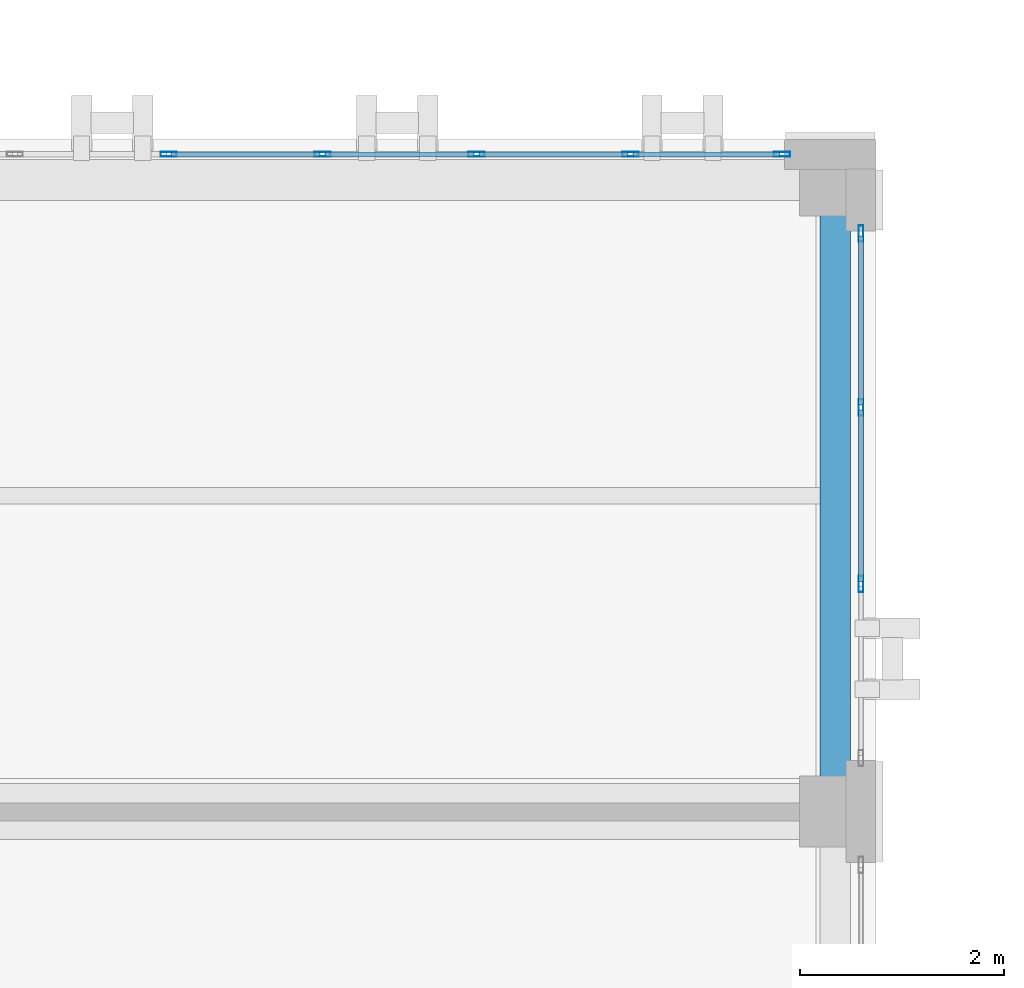
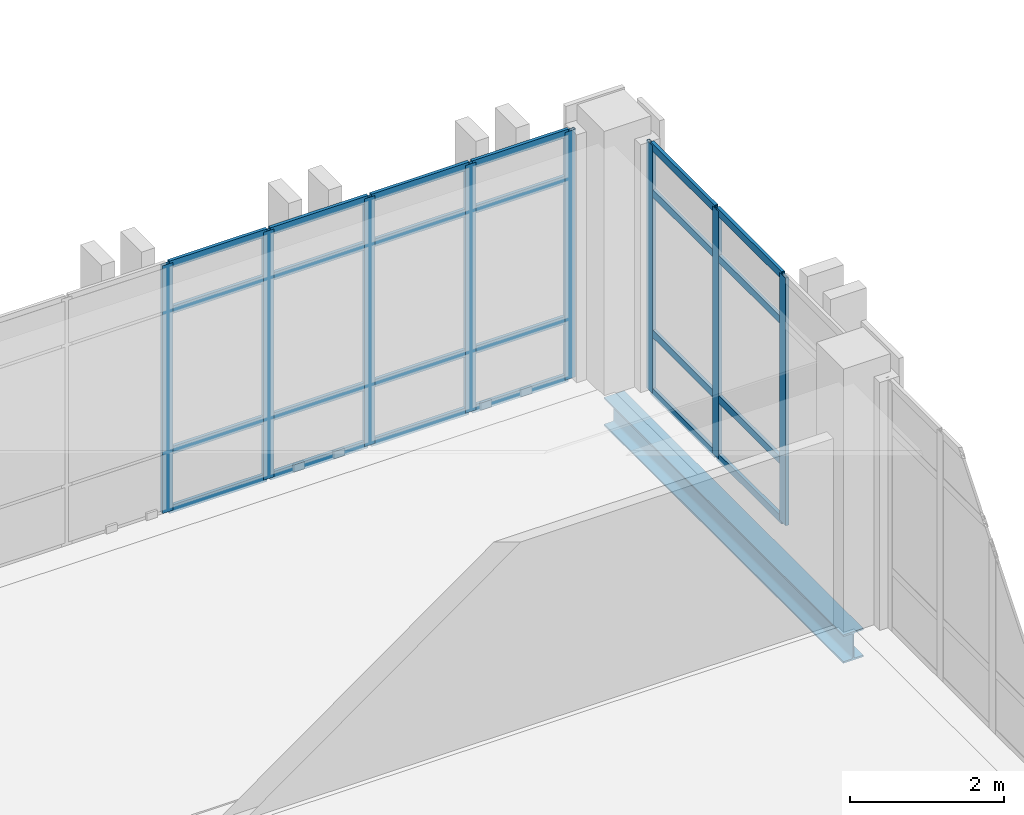
# One storey, part 108 of 165: 32 members, 1 beam, 2 elements without a shape of their own.
"""IFC4 building model written with IfcOpenShell, lengths in metres."""

from ifc_helpers import new_model, si_unit, direction, frame, origin, origin_2d, place, context, subcontext, project, spatial, hollow_rectangle, i_section, extrude, material, layer, layer_set, material_profile, profile_set, type_object, element, aggregate, save


model = new_model("IFC4")

# Units and contexts
model_context = context("Model", 3, precision=1e-05, world=origin(), true_north=direction((0.0, 1.0)))
body_context = subcontext(model_context, "Body", "Model", "MODEL_VIEW")
ifc_project = project(units=[si_unit("LENGTHUNIT", "METRE"), si_unit("AREAUNIT", "SQUARE_METRE"), si_unit("VOLUMEUNIT", "CUBIC_METRE"), si_unit("PLANEANGLEUNIT", "RADIAN"), si_unit("MASSUNIT", "GRAM", prefix="KILO")], contexts=[model_context])

# Site, building, storey
site_placement = place(None, origin())
site = spatial("IfcSite", under=ifc_project, at=site_placement, CompositionType="ELEMENT")
building_placement = place(site_placement, origin())
building = spatial("IfcBuilding", under=site, at=building_placement, Name="Qalavern Law Courts", CompositionType="ELEMENT")
storey_placement = place(building_placement, frame((0.0, 0.0, 14.39990234375)))
storey = spatial("IfcBuildingStorey", under=building, at=storey_placement, Name="L03", CompositionType="ELEMENT", Elevation=14.39990234375)

# Curtain wall, members
ifc_material_1 = material(Name="Anodised aluminium and insulated glazing", Category="aluminium")
ifc_layer = layer(ifc_material_1, 0.172119140625)
ifc_layer_set = layer_set([ifc_layer], Name="Anodised aluminium and insulated glazing")
curtain_wall_type = type_object("IfcCurtainWallType", Name="ENV-CW-COURT", PredefinedType="USERDEFINED", material=ifc_layer_set)
curtain_wall_1_placement = place(storey_placement, origin())
curtain_wall_1 = element("IfcCurtainWall", 1, at=curtain_wall_1_placement, inside=storey, type_object=curtain_wall_type, Name="V4 unitised curtain wall L03 east 5", ObjectType="UNITISED CURTAIN WALL", PredefinedType="USERDEFINED")
ifc_material_2 = material(Name="Anodised aluminium", Category="aluminium")
ifc_material_profile_1 = material_profile(ifc_material_2, hollow_rectangle(XDim=0.048095703125, YDim=0.159912109375, WallThickness=0.00390625, at=origin_2d()), Name="ALU MULLION 48x160")
ifc_profile_set_1 = profile_set([ifc_material_profile_1], Name="Anodised aluminium")
member_type_1 = type_object("IfcMemberType", Name="ENV-CWM-48x160", PredefinedType="MULLION", material=ifc_profile_set_1)
member_1_placement = place(storey_placement, frame((106.652587890625, 81.433349609375, 0.0), z_axis=(0.0, 0.0, 1.0), x_axis=(-1.0, 0.0, 0.0)))
member_1 = element("IfcMember", 2, at=member_1_placement, type_object=member_type_1, Name="CW-03 mullion 2", PredefinedType="MULLION", context=body_context, shape_type="SweptSolid", body=[
    extrude(hollow_rectangle(XDim=0.048095703125, YDim=0.159912109375, WallThickness=0.00390625, at=origin_2d()), origin(), (0.0, 0.0, 1.0), 3.920166015625),
])
member_2_placement = place(storey_placement, frame((106.652587890625, 83.166748046875, 0.0), z_axis=(0.0, 0.0, 1.0), x_axis=(-1.0, 0.0, 0.0)))
member_2 = element("IfcMember", 3, at=member_2_placement, type_object=member_type_1, Name="CW-03 mullion 3", PredefinedType="MULLION", context=body_context, shape_type="SweptSolid", body=[
    extrude(hollow_rectangle(XDim=0.048095703125, YDim=0.159912109375, WallThickness=0.00390625, at=origin_2d()), origin(), (0.0, 0.0, 1.0), 3.920166015625),
])
member_3_placement = place(storey_placement, frame((106.652587890625, 84.8759765625, 0.0), z_axis=(0.0, 0.0, 1.0), x_axis=(-1.0, 0.0, 0.0)))
member_3 = element("IfcMember", 4, at=member_3_placement, type_object=member_type_1, Name="CW-03 mullion 4", PredefinedType="MULLION", context=body_context, shape_type="SweptSolid", body=[
    extrude(hollow_rectangle(XDim=0.048095703125, YDim=0.159912109375, WallThickness=0.00390625, at=origin_2d()), origin(), (0.0, 0.0, 1.0), 3.920166015625),
])

curtain_wall_2_placement = place(storey_placement, origin())
curtain_wall_2 = element("IfcCurtainWall", 5, at=curtain_wall_2_placement, inside=storey, type_object=curtain_wall_type, Name="V4 unitised curtain wall L03 north 1", ObjectType="UNITISED CURTAIN WALL", PredefinedType="USERDEFINED")
member_4_placement = place(storey_placement, frame((105.8759765625, 85.652587890625, 0.0), z_axis=(0.0, 0.0, 1.0), x_axis=(0.0, -1.0, 0.0)))
member_4 = element("IfcMember", 6, at=member_4_placement, type_object=member_type_1, Name="CW-03 mullion 1", PredefinedType="MULLION", context=body_context, shape_type="SweptSolid", body=[
    extrude(hollow_rectangle(XDim=0.048095703125, YDim=0.159912109375, WallThickness=0.00390625, at=origin_2d()), origin(), (0.0, 0.0, 1.0), 3.920166015625),
])
member_5_placement = place(storey_placement, frame((104.388916015625, 85.652587890625, 0.0), z_axis=(0.0, 0.0, 1.0), x_axis=(0.0, -1.0, 0.0)))
member_5 = element("IfcMember", 7, at=member_5_placement, type_object=member_type_1, Name="CW-03 mullion 2", PredefinedType="MULLION", context=body_context, shape_type="SweptSolid", body=[
    extrude(hollow_rectangle(XDim=0.048095703125, YDim=0.159912109375, WallThickness=0.00390625, at=origin_2d()), origin(), (0.0, 0.0, 1.0), 3.920166015625),
])
member_6_placement = place(storey_placement, frame((102.877685546875, 85.652587890625, 0.0), z_axis=(0.0, 0.0, 1.0), x_axis=(0.0, -1.0, 0.0)))
member_6 = element("IfcMember", 8, at=member_6_placement, type_object=member_type_1, Name="CW-03 mullion 3", PredefinedType="MULLION", context=body_context, shape_type="SweptSolid", body=[
    extrude(hollow_rectangle(XDim=0.048095703125, YDim=0.159912109375, WallThickness=0.00390625, at=origin_2d()), origin(), (0.0, 0.0, 1.0), 3.920166015625),
])
member_7_placement = place(storey_placement, frame((101.36669921875, 85.652587890625, 0.0), z_axis=(0.0, 0.0, 1.0), x_axis=(0.0, -1.0, 0.0)))
member_7 = element("IfcMember", 9, at=member_7_placement, type_object=member_type_1, Name="CW-03 mullion 4", PredefinedType="MULLION", context=body_context, shape_type="SweptSolid", body=[
    extrude(hollow_rectangle(XDim=0.048095703125, YDim=0.159912109375, WallThickness=0.00390625, at=origin_2d()), origin(), (0.0, 0.0, 1.0), 3.920166015625),
])
member_8_placement = place(storey_placement, frame((99.85546875, 85.652587890625, 0.0), z_axis=(0.0, 0.0, 1.0), x_axis=(0.0, -1.0, 0.0)))
member_8 = element("IfcMember", 10, at=member_8_placement, type_object=member_type_1, Name="CW-03 mullion 5", PredefinedType="MULLION", context=body_context, shape_type="SweptSolid", body=[
    extrude(hollow_rectangle(XDim=0.048095703125, YDim=0.159912109375, WallThickness=0.00390625, at=origin_2d()), origin(), (0.0, 0.0, 1.0), 3.920166015625),
])

# Member
ifc_material_profile_2 = material_profile(ifc_material_2, hollow_rectangle(XDim=0.048095703125, YDim=0.1201171875, WallThickness=0.00390625, at=origin_2d()), Name="ALU TRANSOM 48x120")
ifc_profile_set_2 = profile_set([ifc_material_profile_2], Name="Anodised aluminium")
member_type_2 = type_object("IfcMemberType", Name="ENV-CWT-48x120", PredefinedType="USERDEFINED", material=ifc_profile_set_2)
member_9_placement = place(storey_placement, frame((106.652587890625, 81.457275390625, 0.024169921875), z_axis=(0.0, 1.0, 0.0), x_axis=(-1.0, 0.0, 0.0)))
member_9 = element("IfcMember", 11, at=member_9_placement, type_object=member_type_2, Name="CW-03 transom 2.1", ObjectType="TRANSOM", PredefinedType="USERDEFINED", context=body_context, shape_type="SweptSolid", body=[
    extrude(hollow_rectangle(XDim=0.048095703125, YDim=0.1201171875, WallThickness=0.00390625, at=origin_2d()), origin(), (0.0, 0.0, 1.0), 1.685302734375),
])

member_10_placement = place(storey_placement, frame((106.652587890625, 81.457275390625, 0.9501953125), z_axis=(0.0, 1.0, 0.0), x_axis=(-1.0, 0.0, 0.0)))
member_10 = element("IfcMember", 12, at=member_10_placement, type_object=member_type_2, Name="CW-03 transom 2.2", ObjectType="TRANSOM", PredefinedType="USERDEFINED", context=body_context, shape_type="SweptSolid", body=[
    extrude(hollow_rectangle(XDim=0.048095703125, YDim=0.1201171875, WallThickness=0.00390625, at=origin_2d()), origin(), (0.0, 0.0, 1.0), 1.685302734375),
])

member_11_placement = place(storey_placement, frame((106.652587890625, 81.457275390625, 3.170166015625), z_axis=(0.0, 1.0, 0.0), x_axis=(-1.0, 0.0, 0.0)))
member_11 = element("IfcMember", 13, at=member_11_placement, type_object=member_type_2, Name="CW-03 transom 2.3", ObjectType="TRANSOM", PredefinedType="USERDEFINED", context=body_context, shape_type="SweptSolid", body=[
    extrude(hollow_rectangle(XDim=0.048095703125, YDim=0.1201171875, WallThickness=0.00390625, at=origin_2d()), origin(), (0.0, 0.0, 1.0), 1.685302734375),
])

member_12_placement = place(storey_placement, frame((106.652587890625, 81.457275390625, 3.89599609375), z_axis=(0.0, 1.0, 0.0), x_axis=(-1.0, 0.0, 0.0)))
member_12 = element("IfcMember", 14, at=member_12_placement, type_object=member_type_2, Name="CW-03 transom 2.4", ObjectType="TRANSOM", PredefinedType="USERDEFINED", context=body_context, shape_type="SweptSolid", body=[
    extrude(hollow_rectangle(XDim=0.048095703125, YDim=0.1201171875, WallThickness=0.00390625, at=origin_2d()), origin(), (0.0, 0.0, 1.0), 1.685302734375),
])

member_13_placement = place(storey_placement, frame((106.652587890625, 83.190673828125, 0.024169921875), z_axis=(0.0, 1.0, 0.0), x_axis=(-1.0, 0.0, 0.0)))
member_13 = element("IfcMember", 15, at=member_13_placement, type_object=member_type_2, Name="CW-03 transom 3.1", ObjectType="TRANSOM", PredefinedType="USERDEFINED", context=body_context, shape_type="SweptSolid", body=[
    extrude(hollow_rectangle(XDim=0.048095703125, YDim=0.1201171875, WallThickness=0.00390625, at=origin_2d()), origin(), (0.0, 0.0, 1.0), 1.661376953125),
])

member_14_placement = place(storey_placement, frame((106.652587890625, 83.190673828125, 0.9501953125), z_axis=(0.0, 1.0, 0.0), x_axis=(-1.0, 0.0, 0.0)))
member_14 = element("IfcMember", 16, at=member_14_placement, type_object=member_type_2, Name="CW-03 transom 3.2", ObjectType="TRANSOM", PredefinedType="USERDEFINED", context=body_context, shape_type="SweptSolid", body=[
    extrude(hollow_rectangle(XDim=0.048095703125, YDim=0.1201171875, WallThickness=0.00390625, at=origin_2d()), origin(), (0.0, 0.0, 1.0), 1.661376953125),
])

member_15_placement = place(storey_placement, frame((106.652587890625, 83.190673828125, 3.170166015625), z_axis=(0.0, 1.0, 0.0), x_axis=(-1.0, 0.0, 0.0)))
member_15 = element("IfcMember", 17, at=member_15_placement, type_object=member_type_2, Name="CW-03 transom 3.3", ObjectType="TRANSOM", PredefinedType="USERDEFINED", context=body_context, shape_type="SweptSolid", body=[
    extrude(hollow_rectangle(XDim=0.048095703125, YDim=0.1201171875, WallThickness=0.00390625, at=origin_2d()), origin(), (0.0, 0.0, 1.0), 1.661376953125),
])

member_16_placement = place(storey_placement, frame((106.652587890625, 83.190673828125, 3.89599609375), z_axis=(0.0, 1.0, 0.0), x_axis=(-1.0, 0.0, 0.0)))
member_16 = element("IfcMember", 18, at=member_16_placement, type_object=member_type_2, Name="CW-03 transom 3.4", ObjectType="TRANSOM", PredefinedType="USERDEFINED", context=body_context, shape_type="SweptSolid", body=[
    extrude(hollow_rectangle(XDim=0.048095703125, YDim=0.1201171875, WallThickness=0.00390625, at=origin_2d()), origin(), (0.0, 0.0, 1.0), 1.661376953125),
])

aggregate(curtain_wall_1, [member_1, member_2, member_3, member_9, member_10, member_11, member_12, member_13, member_14, member_15, member_16])

member_17_placement = place(storey_placement, frame((105.85205078125, 85.652587890625, 0.024169921875), z_axis=(-1.0, 0.0, 0.0), x_axis=(0.0, -1.0, 0.0)))
member_17 = element("IfcMember", 19, at=member_17_placement, type_object=member_type_2, Name="CW-03 transom 1.1", ObjectType="TRANSOM", PredefinedType="USERDEFINED", context=body_context, shape_type="SweptSolid", body=[
    extrude(hollow_rectangle(XDim=0.048095703125, YDim=0.1201171875, WallThickness=0.00390625, at=origin_2d()), origin(), (0.0, 0.0, 1.0), 1.439208984375),
])

member_18_placement = place(storey_placement, frame((105.85205078125, 85.652587890625, 0.9501953125), z_axis=(-1.0, 0.0, 0.0), x_axis=(0.0, -1.0, 0.0)))
member_18 = element("IfcMember", 20, at=member_18_placement, type_object=member_type_2, Name="CW-03 transom 1.2", ObjectType="TRANSOM", PredefinedType="USERDEFINED", context=body_context, shape_type="SweptSolid", body=[
    extrude(hollow_rectangle(XDim=0.048095703125, YDim=0.1201171875, WallThickness=0.00390625, at=origin_2d()), origin(), (0.0, 0.0, 1.0), 1.439208984375),
])

member_19_placement = place(storey_placement, frame((105.85205078125, 85.652587890625, 3.170166015625), z_axis=(-1.0, 0.0, 0.0), x_axis=(0.0, -1.0, 0.0)))
member_19 = element("IfcMember", 21, at=member_19_placement, type_object=member_type_2, Name="CW-03 transom 1.3", ObjectType="TRANSOM", PredefinedType="USERDEFINED", context=body_context, shape_type="SweptSolid", body=[
    extrude(hollow_rectangle(XDim=0.048095703125, YDim=0.1201171875, WallThickness=0.00390625, at=origin_2d()), origin(), (0.0, 0.0, 1.0), 1.439208984375),
])

member_20_placement = place(storey_placement, frame((105.85205078125, 85.652587890625, 3.89599609375), z_axis=(-1.0, 0.0, 0.0), x_axis=(0.0, -1.0, 0.0)))
member_20 = element("IfcMember", 22, at=member_20_placement, type_object=member_type_2, Name="CW-03 transom 1.4", ObjectType="TRANSOM", PredefinedType="USERDEFINED", context=body_context, shape_type="SweptSolid", body=[
    extrude(hollow_rectangle(XDim=0.048095703125, YDim=0.1201171875, WallThickness=0.00390625, at=origin_2d()), origin(), (0.0, 0.0, 1.0), 1.439208984375),
])

member_21_placement = place(storey_placement, frame((104.364990234375, 85.652587890625, 0.024169921875), z_axis=(-1.0, 0.0, 0.0), x_axis=(0.0, -1.0, 0.0)))
member_21 = element("IfcMember", 23, at=member_21_placement, type_object=member_type_2, Name="CW-03 transom 2.1", ObjectType="TRANSOM", PredefinedType="USERDEFINED", context=body_context, shape_type="SweptSolid", body=[
    extrude(hollow_rectangle(XDim=0.048095703125, YDim=0.1201171875, WallThickness=0.00390625, at=origin_2d()), origin(), (0.0, 0.0, 1.0), 1.463134765625),
])

member_22_placement = place(storey_placement, frame((104.364990234375, 85.652587890625, 0.9501953125), z_axis=(-1.0, 0.0, 0.0), x_axis=(0.0, -1.0, 0.0)))
member_22 = element("IfcMember", 24, at=member_22_placement, type_object=member_type_2, Name="CW-03 transom 2.2", ObjectType="TRANSOM", PredefinedType="USERDEFINED", context=body_context, shape_type="SweptSolid", body=[
    extrude(hollow_rectangle(XDim=0.048095703125, YDim=0.1201171875, WallThickness=0.00390625, at=origin_2d()), origin(), (0.0, 0.0, 1.0), 1.463134765625),
])

member_23_placement = place(storey_placement, frame((104.364990234375, 85.652587890625, 3.170166015625), z_axis=(-1.0, 0.0, 0.0), x_axis=(0.0, -1.0, 0.0)))
member_23 = element("IfcMember", 25, at=member_23_placement, type_object=member_type_2, Name="CW-03 transom 2.3", ObjectType="TRANSOM", PredefinedType="USERDEFINED", context=body_context, shape_type="SweptSolid", body=[
    extrude(hollow_rectangle(XDim=0.048095703125, YDim=0.1201171875, WallThickness=0.00390625, at=origin_2d()), origin(), (0.0, 0.0, 1.0), 1.463134765625),
])

member_24_placement = place(storey_placement, frame((104.364990234375, 85.652587890625, 3.89599609375), z_axis=(-1.0, 0.0, 0.0), x_axis=(0.0, -1.0, 0.0)))
member_24 = element("IfcMember", 26, at=member_24_placement, type_object=member_type_2, Name="CW-03 transom 2.4", ObjectType="TRANSOM", PredefinedType="USERDEFINED", context=body_context, shape_type="SweptSolid", body=[
    extrude(hollow_rectangle(XDim=0.048095703125, YDim=0.1201171875, WallThickness=0.00390625, at=origin_2d()), origin(), (0.0, 0.0, 1.0), 1.463134765625),
])

member_25_placement = place(storey_placement, frame((102.853759765625, 85.652587890625, 0.024169921875), z_axis=(-1.0, 0.0, 0.0), x_axis=(0.0, -1.0, 0.0)))
member_25 = element("IfcMember", 27, at=member_25_placement, type_object=member_type_2, Name="CW-03 transom 3.1", ObjectType="TRANSOM", PredefinedType="USERDEFINED", context=body_context, shape_type="SweptSolid", body=[
    extrude(hollow_rectangle(XDim=0.048095703125, YDim=0.1201171875, WallThickness=0.00390625, at=origin_2d()), origin(), (0.0, 0.0, 1.0), 1.463134765625),
])

member_26_placement = place(storey_placement, frame((102.853759765625, 85.652587890625, 0.9501953125), z_axis=(-1.0, 0.0, 0.0), x_axis=(0.0, -1.0, 0.0)))
member_26 = element("IfcMember", 28, at=member_26_placement, type_object=member_type_2, Name="CW-03 transom 3.2", ObjectType="TRANSOM", PredefinedType="USERDEFINED", context=body_context, shape_type="SweptSolid", body=[
    extrude(hollow_rectangle(XDim=0.048095703125, YDim=0.1201171875, WallThickness=0.00390625, at=origin_2d()), origin(), (0.0, 0.0, 1.0), 1.463134765625),
])

member_27_placement = place(storey_placement, frame((102.853759765625, 85.652587890625, 3.170166015625), z_axis=(-1.0, 0.0, 0.0), x_axis=(0.0, -1.0, 0.0)))
member_27 = element("IfcMember", 29, at=member_27_placement, type_object=member_type_2, Name="CW-03 transom 3.3", ObjectType="TRANSOM", PredefinedType="USERDEFINED", context=body_context, shape_type="SweptSolid", body=[
    extrude(hollow_rectangle(XDim=0.048095703125, YDim=0.1201171875, WallThickness=0.00390625, at=origin_2d()), origin(), (0.0, 0.0, 1.0), 1.463134765625),
])

member_28_placement = place(storey_placement, frame((102.853759765625, 85.652587890625, 3.89599609375), z_axis=(-1.0, 0.0, 0.0), x_axis=(0.0, -1.0, 0.0)))
member_28 = element("IfcMember", 30, at=member_28_placement, type_object=member_type_2, Name="CW-03 transom 3.4", ObjectType="TRANSOM", PredefinedType="USERDEFINED", context=body_context, shape_type="SweptSolid", body=[
    extrude(hollow_rectangle(XDim=0.048095703125, YDim=0.1201171875, WallThickness=0.00390625, at=origin_2d()), origin(), (0.0, 0.0, 1.0), 1.463134765625),
])

member_29_placement = place(storey_placement, frame((101.3427734375, 85.652587890625, 0.024169921875), z_axis=(-1.0, 0.0, 0.0), x_axis=(0.0, -1.0, 0.0)))
member_29 = element("IfcMember", 31, at=member_29_placement, type_object=member_type_2, Name="CW-03 transom 4.1", ObjectType="TRANSOM", PredefinedType="USERDEFINED", context=body_context, shape_type="SweptSolid", body=[
    extrude(hollow_rectangle(XDim=0.048095703125, YDim=0.1201171875, WallThickness=0.00390625, at=origin_2d()), origin(), (0.0, 0.0, 1.0), 1.463134765625),
])

member_30_placement = place(storey_placement, frame((101.3427734375, 85.652587890625, 0.9501953125), z_axis=(-1.0, 0.0, 0.0), x_axis=(0.0, -1.0, 0.0)))
member_30 = element("IfcMember", 32, at=member_30_placement, type_object=member_type_2, Name="CW-03 transom 4.2", ObjectType="TRANSOM", PredefinedType="USERDEFINED", context=body_context, shape_type="SweptSolid", body=[
    extrude(hollow_rectangle(XDim=0.048095703125, YDim=0.1201171875, WallThickness=0.00390625, at=origin_2d()), origin(), (0.0, 0.0, 1.0), 1.463134765625),
])

member_31_placement = place(storey_placement, frame((101.3427734375, 85.652587890625, 3.170166015625), z_axis=(-1.0, 0.0, 0.0), x_axis=(0.0, -1.0, 0.0)))
member_31 = element("IfcMember", 33, at=member_31_placement, type_object=member_type_2, Name="CW-03 transom 4.3", ObjectType="TRANSOM", PredefinedType="USERDEFINED", context=body_context, shape_type="SweptSolid", body=[
    extrude(hollow_rectangle(XDim=0.048095703125, YDim=0.1201171875, WallThickness=0.00390625, at=origin_2d()), origin(), (0.0, 0.0, 1.0), 1.463134765625),
])

member_32_placement = place(storey_placement, frame((101.3427734375, 85.652587890625, 3.89599609375), z_axis=(-1.0, 0.0, 0.0), x_axis=(0.0, -1.0, 0.0)))
member_32 = element("IfcMember", 34, at=member_32_placement, type_object=member_type_2, Name="CW-03 transom 4.4", ObjectType="TRANSOM", PredefinedType="USERDEFINED", context=body_context, shape_type="SweptSolid", body=[
    extrude(hollow_rectangle(XDim=0.048095703125, YDim=0.1201171875, WallThickness=0.00390625, at=origin_2d()), origin(), (0.0, 0.0, 1.0), 1.463134765625),
])

aggregate(curtain_wall_2, [member_4, member_5, member_6, member_7, member_8, member_17, member_18, member_19, member_20, member_21, member_22, member_23, member_24, member_25, member_26, member_27, member_28, member_29, member_30, member_31, member_32])

# Beam
ifc_material_3 = material(Name="Steel S355", Category="steel")
ifc_material_profile_3 = material_profile(ifc_material_3, i_section(OverallWidth=0.300048828125, OverallDepth=0.449951171875, WebThickness=0.013916015625, FlangeThickness=0.02587890625, FilletRadius=0.027099609375, at=origin_2d()), Name="HEB 450")
ifc_profile_set_3 = profile_set([ifc_material_profile_3], Name="Steel S355")
beam_type = type_object("IfcBeamType", Name="STR-SP-HEB450", PredefinedType="SPANDREL", material=ifc_profile_set_3)
beam_placement = place(storey_placement, frame((106.39990234375, 79.199951171875, -0.510009765625), z_axis=(0.0, 1.0, 0.0), x_axis=(-1.0, 0.0, 0.0)))
element("IfcBeam", 35, at=beam_placement, inside=storey, type_object=beam_type, Name="V4 Y-beam 3-6 L03", PredefinedType="SPANDREL", context=body_context, shape_type="SweptSolid", body=[
    extrude(i_section(OverallWidth=0.300048828125, OverallDepth=0.449951171875, WebThickness=0.013916015625, FlangeThickness=0.02587890625, FilletRadius=0.027099609375, at=origin_2d()), origin(), (0.0, 0.0, 1.0), 6.199951171875),
])

save(model, "model.ifc")
